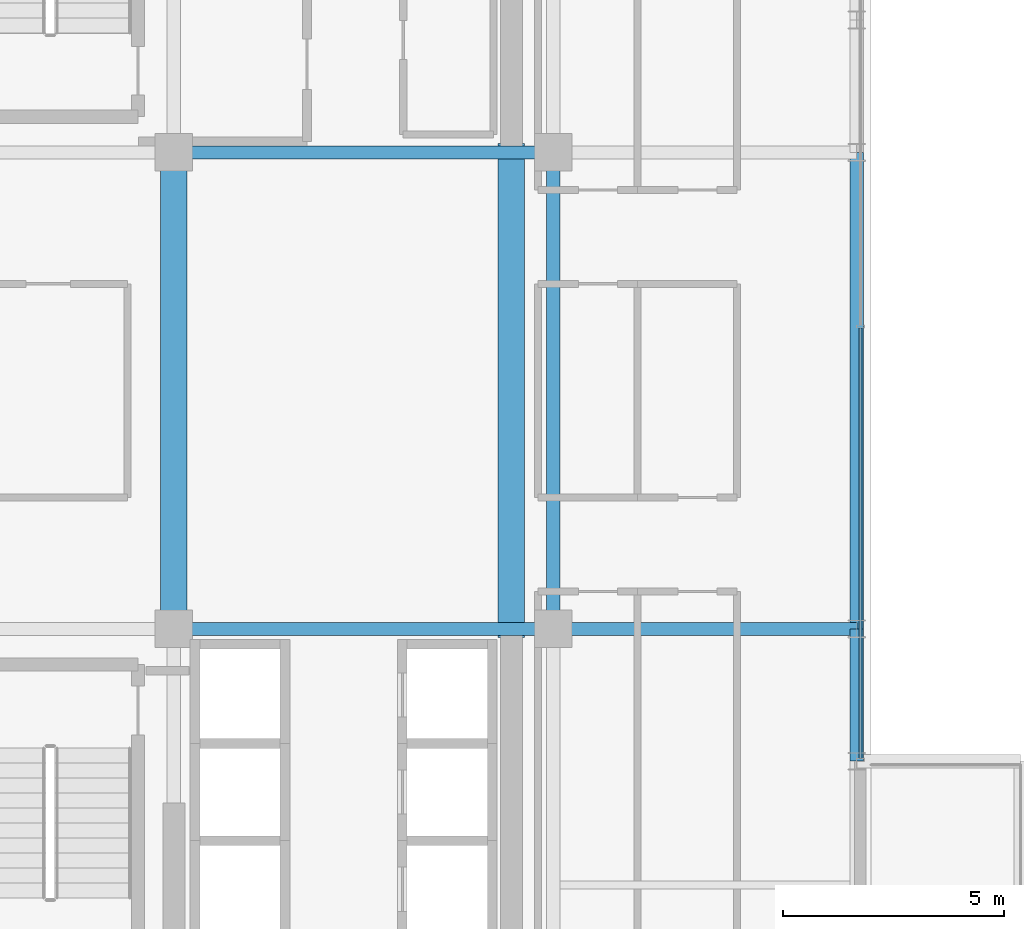
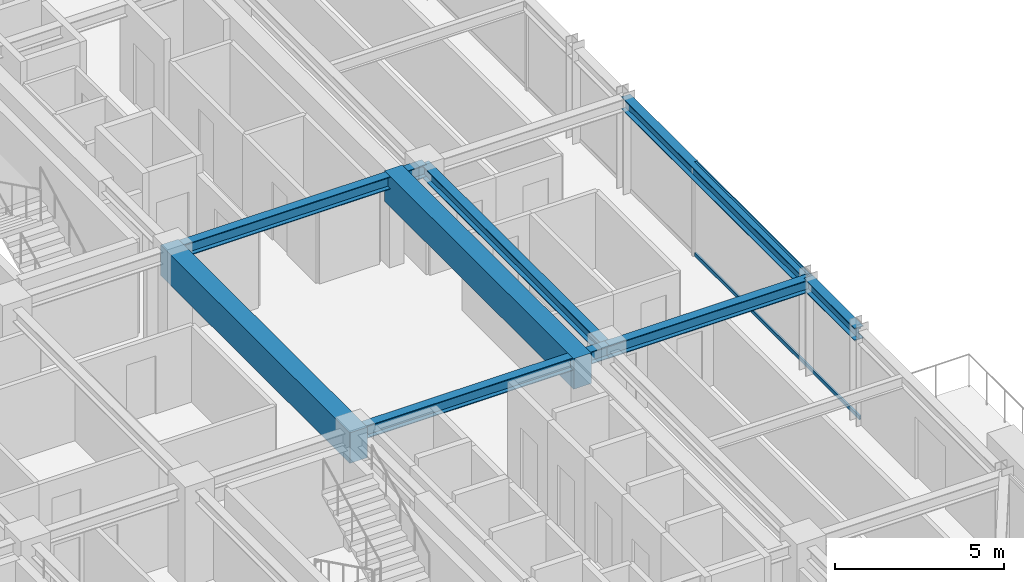
# One storey, part 16 of 36: 8 beams, 2 members, 1 element without a shape of its own.
"""IFC4 building model written with IfcOpenShell, lengths in metres."""

from ifc_helpers import new_model, si_unit, direction, frame, origin, origin_2d, place, context, subcontext, project, spatial, rectangle, hollow_rectangle, i_section, extrude, source, transform, mapped, material, material_profile, profile_set, type_object, element, aggregate, save


model = new_model("IFC4")

# Units and contexts
model_context = context("Model", 3, precision=1e-05, world=origin(), true_north=direction((0.0, 1.0)))
body_context = subcontext(model_context, "Body", "Model", "MODEL_VIEW")
ifc_project = project(units=[si_unit("LENGTHUNIT", "METRE"), si_unit("AREAUNIT", "SQUARE_METRE"), si_unit("VOLUMEUNIT", "CUBIC_METRE"), si_unit("PLANEANGLEUNIT", "RADIAN"), si_unit("MASSUNIT", "GRAM", prefix="KILO")], contexts=[model_context])

# Site, building, storey
site_placement = place(None, origin())
site = spatial("IfcSite", under=ifc_project, at=site_placement, CompositionType="ELEMENT")
building_placement = place(site_placement, origin())
building = spatial("IfcBuilding", under=site, at=building_placement, Name="Nahalor Promenade Grand Hotel", CompositionType="ELEMENT")
storey_placement = place(building_placement, frame((0.0, 0.0, 219.699951171875)))
storey = spatial("IfcBuildingStorey", under=building, at=storey_placement, Name="L56", CompositionType="ELEMENT", Elevation=219.699951171875)

# Beams
ifc_material_1 = material(Name="Concrete B-60 (C50/60)", Category="concrete")
ifc_material_profile_1 = material_profile(ifc_material_1, rectangle(XDim=0.6, YDim=1.1, at=origin_2d()), Name="RC 600x1100")
ifc_profile_set_1 = profile_set([ifc_material_profile_1], Name="Concrete B-60 (C50/60)")
beam_type_1 = type_object("IfcBeamType", Name="Beam-Lintel-RC1100", PredefinedType="LINTEL", material=ifc_profile_set_1)
shared_shape_1 = source(origin(), body_context, "Body", "SweptSolid", [
    extrude(rectangle(XDim=0.6, YDim=1.1, at=origin_2d()), origin(), (0.0, 0.0, 1.0), 11.2001953125),
])
for number, where, z_axis, x_axis, name in (
    (1, (8.39990234375, -5.60009765625, 2.860107421875), (0.0, 1.0, 0.0), (-1.0, 0.0, 0.0), "BM-L56-LINT-W"),
    (2, (16.050048828125, -5.60009765625, 2.860107421875), (0.0, 1.0, 0.0), (-1.0, 0.0, 0.0), "BM-L56-LINT-E"),
):
    element("IfcBeam", number, at=place(storey_placement, frame(where, z_axis=z_axis, x_axis=x_axis)), inside=storey, type_object=beam_type_1, Name=name, PredefinedType="LINTEL", context=body_context, shape_type="MappedRepresentation", body=[
        mapped(shared_shape_1, transform((0.0, 0.0, 0.0), scale=1.0)),
    ])
ifc_material_2 = material(Name="Steel S355JR", Category="steel")
ifc_material_profile_2 = material_profile(ifc_material_2, i_section(OverallWidth=0.3, OverallDepth=0.45, WebThickness=0.014, FlangeThickness=0.026, at=origin_2d()), Name="HEB 450")
ifc_profile_set_2 = profile_set([ifc_material_profile_2], Name="Steel S355JR")
beam_type_2 = type_object("IfcBeamType", Name="Beam-Spandrel-HEB450", PredefinedType="SPANDREL", material=ifc_profile_set_2)
shared_shape_2 = source(origin(), body_context, "Body", "SweptSolid", [
    extrude(i_section(OverallWidth=0.3, OverallDepth=0.45, WebThickness=0.014, FlangeThickness=0.026, at=origin_2d()), origin(), (0.0, 0.0, 1.0), 3.0),
])
beam_1_placement = place(storey_placement, frame((23.8798828125, -8.39990234375, 3.18505859375), z_axis=(0.0, 1.0, 0.0), x_axis=(-1.0, 0.0, 0.0)))
element("IfcBeam", 3, at=beam_1_placement, inside=storey, type_object=beam_type_2, Name="BM-L56-SP-E-1", PredefinedType="SPANDREL", context=body_context, shape_type="MappedRepresentation", body=[
    mapped(shared_shape_2, transform((0.0, 0.0, 0.0), scale=1.0)),
])
shared_shape_3 = source(origin(), body_context, "Body", "SweptSolid", [
    extrude(i_section(OverallWidth=0.3, OverallDepth=0.45, WebThickness=0.014, FlangeThickness=0.026, at=origin_2d()), origin(), (0.0, 0.0, 1.0), 10.7998046875),
])
beam_2_placement = place(storey_placement, frame((23.8798828125, -5.39990234375, 3.18505859375), z_axis=(0.0, 1.0, 0.0), x_axis=(-1.0, 0.0, 0.0)))
element("IfcBeam", 4, at=beam_2_placement, inside=storey, type_object=beam_type_2, Name="BM-L56-SP-E-2", PredefinedType="SPANDREL", context=body_context, shape_type="MappedRepresentation", body=[
    mapped(shared_shape_3, transform((0.0, 0.0, 0.0), scale=1.0)),
])
ifc_material_profile_3 = material_profile(ifc_material_2, i_section(OverallWidth=0.3, OverallDepth=0.45, WebThickness=0.014, FlangeThickness=0.026, at=origin_2d()), Name="HEB 450")
ifc_profile_set_3 = profile_set([ifc_material_profile_3], Name="Steel S355JR")
beam_type_3 = type_object("IfcBeamType", Name="Beam-Girder-HEB450", PredefinedType="BEAM", material=ifc_profile_set_3)
shared_shape_4 = source(origin(), body_context, "Body", "SweptSolid", [
    extrude(i_section(OverallWidth=0.3, OverallDepth=0.45, WebThickness=0.014, FlangeThickness=0.026, at=origin_2d()), origin(), (0.0, 0.0, 1.0), 6.8798828125),
])
beam_3_placement = place(storey_placement, frame((17.0, -5.39990234375, 3.18505859375), z_axis=(1.0, 0.0, 0.0), x_axis=(0.0, 1.0, 0.0)))
element("IfcBeam", 5, at=beam_3_placement, inside=storey, type_object=beam_type_3, Name="BM-L56-GX-1-6", PredefinedType="BEAM", context=body_context, shape_type="MappedRepresentation", body=[
    mapped(shared_shape_4, transform((0.0, 0.0, 0.0), scale=1.0)),
])
shared_shape_5 = source(origin(), body_context, "Body", "SweptSolid", [
    extrude(i_section(OverallWidth=0.3, OverallDepth=0.45, WebThickness=0.014, FlangeThickness=0.026, at=origin_2d()), origin(), (0.0, 0.0, 1.0), 8.60009765625),
])
for number, where, z_axis, x_axis, name in (
    (6, (8.39990234375, -5.39990234375, 3.18505859375), (1.0, 0.0, 0.0), (0.0, 1.0, 0.0), "BM-L56-GX-1-5"),
    (7, (8.39990234375, 5.39990234375, 3.18505859375), (1.0, 0.0, 0.0), (0.0, 1.0, 0.0), "BM-L56-GX-2-5"),
):
    element("IfcBeam", number, at=place(storey_placement, frame(where, z_axis=z_axis, x_axis=x_axis)), inside=storey, type_object=beam_type_3, Name=name, PredefinedType="BEAM", context=body_context, shape_type="MappedRepresentation", body=[
        mapped(shared_shape_5, transform((0.0, 0.0, 0.0), scale=1.0)),
    ])
shared_shape_6 = source(origin(), body_context, "Body", "SweptSolid", [
    extrude(i_section(OverallWidth=0.3, OverallDepth=0.45, WebThickness=0.014, FlangeThickness=0.026, at=origin_2d()), origin(), (0.0, 0.0, 1.0), 10.7998046875),
])
beam_4_placement = place(storey_placement, frame((17.0, -5.39990234375, 3.18505859375), z_axis=(0.0, 1.0, 0.0), x_axis=(-1.0, 0.0, 0.0)))
element("IfcBeam", 8, at=beam_4_placement, inside=storey, type_object=beam_type_3, Name="BM-L56-GY-5-2", PredefinedType="BEAM", context=body_context, shape_type="MappedRepresentation", body=[
    mapped(shared_shape_6, transform((0.0, 0.0, 0.0), scale=1.0)),
])

# Curtain wall, members
ifc_material_3 = material(Name="Anodised Bronze Aluminium EN AW-6063 T6", Category="aluminium")
curtain_wall_type = type_object("IfcCurtainWallType", Name="CW2 Typical Hotel Flush Bronze Unitised Curtain Wall", PredefinedType="USERDEFINED", material=ifc_material_3)
curtain_wall_placement = place(storey_placement, origin())
curtain_wall = element("IfcCurtainWall", 9, at=curtain_wall_placement, inside=storey, type_object=curtain_wall_type, Name="L56 Curtain Wall CW-L56-E-3", ObjectType="UNITISED_CURTAIN_WALL", PredefinedType="USERDEFINED")
ifc_material_profile_4 = material_profile(ifc_material_3, hollow_rectangle(XDim=0.065, YDim=0.13, WallThickness=0.004, at=origin_2d()), Name="CWT 65x130x4")
ifc_profile_set_4 = profile_set([ifc_material_profile_4], Name="Anodised Bronze Aluminium EN AW-6063 T6")
member_type = type_object("IfcMemberType", Name="CWT2 Typical Bronze Transom 65x130", PredefinedType="USERDEFINED", material=ifc_profile_set_4)
shared_shape_7 = source(origin(), body_context, "Body", "SweptSolid", [
    extrude(hollow_rectangle(XDim=0.065, YDim=0.13, WallThickness=0.004, at=origin_2d()), origin(), (0.0, 0.0, 1.0), 9.755859375),
])
member_1_placement = place(storey_placement, frame((23.9599609375, -8.3349609375, 0.06494140625), z_axis=(0.0, 1.0, 0.0), x_axis=(-1.0, 0.0, 0.0)))
member_1 = element("IfcMember", 10, at=member_1_placement, type_object=member_type, Name="CW-L56-E-3 Transom 0-0", ObjectType="TRANSOM", PredefinedType="USERDEFINED", context=body_context, shape_type="MappedRepresentation", body=[
    mapped(shared_shape_7, transform((0.0, 0.0, 0.0), scale=1.0)),
])
member_2_placement = place(storey_placement, frame((23.9599609375, -8.3349609375, 3.344970703125), z_axis=(0.0, 1.0, 0.0), x_axis=(-1.0, 0.0, 0.0)))
member_2 = element("IfcMember", 11, at=member_2_placement, type_object=member_type, Name="CW-L56-E-3 Transom 0-1", ObjectType="TRANSOM", PredefinedType="USERDEFINED", context=body_context, shape_type="MappedRepresentation", body=[
    mapped(shared_shape_7, transform((0.0, 0.0, 0.0), scale=1.0)),
])
aggregate(curtain_wall, [member_1, member_2])

save(model, "model.ifc")
